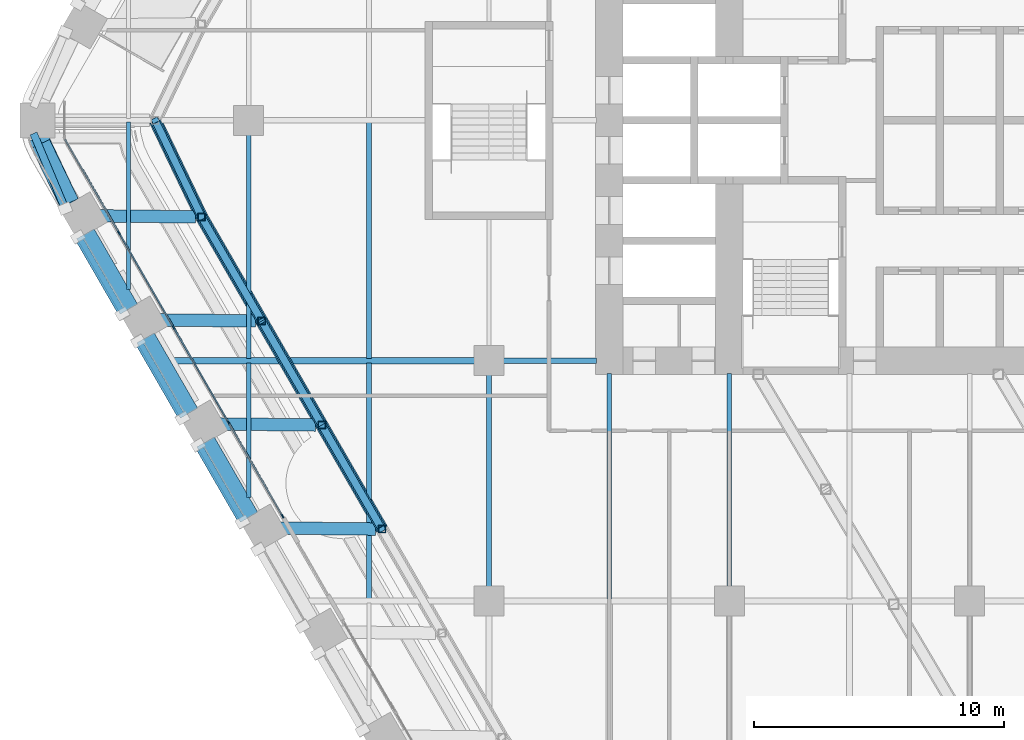
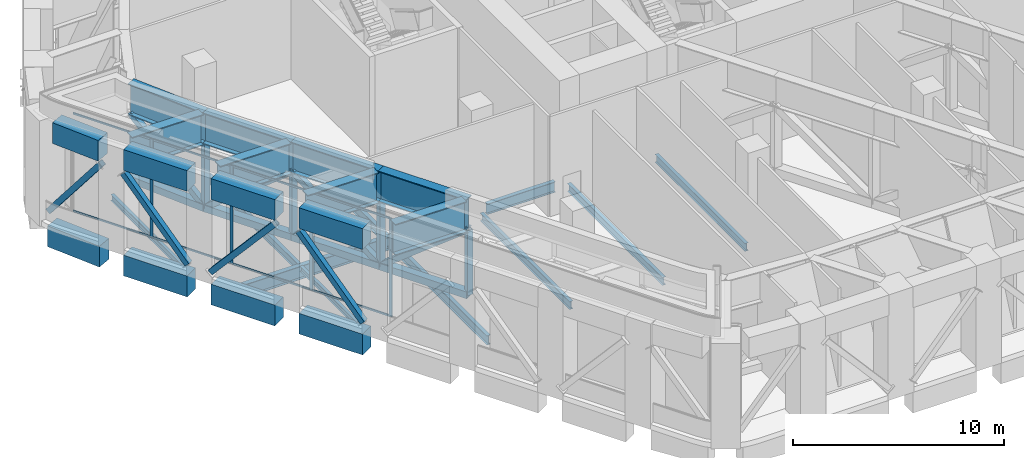
# One storey, part 3 of 35: 28 members, 26 beams, 1 element without a shape of its own.
"""IFC4 building model written with IfcOpenShell, lengths in metres."""

from ifc_helpers import new_model, si_unit, direction, frame, origin, origin_2d, place, context, subcontext, project, spatial, rectangle, hollow_rectangle, i_section, extrude, material, material_profile, profile_set, type_object, element, aggregate, save


model = new_model("IFC4")

# Units and contexts
model_context = context("Model", 3, precision=1e-05, world=origin(), true_north=direction((0.0, 1.0)))
body_context = subcontext(model_context, "Body", "Model", "MODEL_VIEW")
ifc_project = project(units=[si_unit("LENGTHUNIT", "METRE"), si_unit("AREAUNIT", "SQUARE_METRE"), si_unit("VOLUMEUNIT", "CUBIC_METRE"), si_unit("PLANEANGLEUNIT", "RADIAN"), si_unit("MASSUNIT", "GRAM", prefix="KILO")], contexts=[model_context])

# Site, building, storey
site_placement = place(None, origin())
site = spatial("IfcSite", under=ifc_project, at=site_placement, CompositionType="ELEMENT")
building_placement = place(site_placement, origin())
building = spatial("IfcBuilding", under=site, at=building_placement, Name="Kolab Exchange Tower", CompositionType="ELEMENT")
storey_placement = place(building_placement, frame((0.0, 0.0, 71.89990234375)))
storey = spatial("IfcBuildingStorey", under=building, at=storey_placement, Name="L13", CompositionType="ELEMENT", Elevation=71.89990234375)

# Members
ifc_material_1 = material(Name="Steel S355", Category="steel")
ifc_material_profile_1 = material_profile(ifc_material_1, hollow_rectangle(XDim=0.300048828125, YDim=0.300048828125, WallThickness=0.01611328125, at=origin_2d()), Name="HSS300X300X16")
ifc_profile_set_1 = profile_set([ifc_material_profile_1], Name="Steel S355")
member_type_1 = type_object("IfcMemberType", Name="BELT TRUSS BRACE HSS300X300X16", PredefinedType="BRACE", material=ifc_profile_set_1)
member_1_placement = place(storey_placement, frame((-23.48046875, -16.32763671875, 4.0), z_axis=(-0.394006750666, 0.682437328265, -0.61566059921), x_axis=(-0.866024647952, -0.500001309137, 0.0)))
element("IfcMember", 1, at=member_1_placement, inside=storey, type_object=member_type_1, Name="mem/L13/ring/d-F5-04", PredefinedType="BRACE", context=body_context, shape_type="SweptSolid", body=[
    extrude(hollow_rectangle(XDim=0.300048828125, YDim=0.300048828125, WallThickness=0.01611328125, at=origin_2d()), origin(), (0.0, 0.0, 1.0), 6.091064453125),
])
member_2_placement = place(storey_placement, frame((-25.88037109375, -12.1708984375, 0.25), z_axis=(-0.394029831617, 0.682447964901, 0.615634036582), x_axis=(-0.866015339567, -0.500017431331, 0.0)))
element("IfcMember", 2, at=member_2_placement, inside=storey, type_object=member_type_1, Name="mem/L13/ring/d-F5-05", PredefinedType="BRACE", context=body_context, shape_type="SweptSolid", body=[
    extrude(hollow_rectangle(XDim=0.300048828125, YDim=0.300048828125, WallThickness=0.01611328125, at=origin_2d()), origin(), (0.0, 0.0, 1.0), 6.09130859375),
])
member_3_placement = place(storey_placement, frame((-28.280517578125, -8.013916015625, 4.0), z_axis=(-0.393995973328, 0.682458742407, -0.615643758934), x_axis=(-0.866037363387, -0.499979284789, 0.0)))
element("IfcMember", 3, at=member_3_placement, inside=storey, type_object=member_type_1, Name="mem/L13/ring/d-F5-06", PredefinedType="BRACE", context=body_context, shape_type="SweptSolid", body=[
    extrude(hollow_rectangle(XDim=0.300048828125, YDim=0.300048828125, WallThickness=0.01611328125, at=origin_2d()), origin(), (0.0, 0.0, 1.0), 6.091064453125),
])
member_4_placement = place(storey_placement, frame((-30.680419921875, -3.85693359375, 0.25), z_axis=(-0.326067240374, 0.677790824134, 0.658999054229), x_axis=(-0.901145304527, -0.433517173972, 0.0)))
element("IfcMember", 4, at=member_4_placement, inside=storey, type_object=member_type_1, Name="mem/L13/ring/d-F5-07", PredefinedType="BRACE", context=body_context, shape_type="SweptSolid", body=[
    extrude(hollow_rectangle(XDim=0.300048828125, YDim=0.300048828125, WallThickness=0.01611328125, at=origin_2d()), origin(), (0.0, 0.0, 1.0), 5.6904296875),
])
member_5_placement = place(storey_placement, frame((-29.05126953125, -16.041015625, 0.400146484375), z_axis=(-0.328630956923, 0.569266591264, 0.753616110644), x_axis=(-0.866048632561, -0.49995976442, 0.0)))
element("IfcMember", 5, at=member_5_placement, inside=storey, type_object=member_type_1, Name="mem/L13/fb/F5-05", PredefinedType="BRACE", context=body_context, shape_type="SweptSolid", body=[
    extrude(hollow_rectangle(XDim=0.300048828125, YDim=0.300048828125, WallThickness=0.01611328125, at=origin_2d()), origin(), (0.0, 0.0, 1.0), 5.374267578125),
])
for number, where, z_axis, x_axis, name in (
    (6, (-31.451416015625, -11.884033203125, 4.4501953125), (-0.328639455646, 0.569235883224, -0.753635599904), (-0.866031355668, -0.499989690894, 0.0), "mem/L13/fb/F5-06"),
    (7, (-33.851318359375, -7.72705078125, 0.400146484375), (-0.328639455646, 0.569235883224, 0.753635599904), (-0.866031355668, -0.499989690894, 0.0), "mem/L13/fb/F5-07"),
):
    element("IfcMember", number, at=place(storey_placement, frame(where, z_axis=z_axis, x_axis=x_axis)), inside=storey, type_object=member_type_1, Name=name, PredefinedType="BRACE", context=body_context, shape_type="SweptSolid", body=[
        extrude(hollow_rectangle(XDim=0.300048828125, YDim=0.300048828125, WallThickness=0.01611328125, at=origin_2d()), origin(), (0.0, 0.0, 1.0), 5.3740234375),
    ])
member_6_placement = place(storey_placement, frame((-36.13916015625, -3.5107421875, 4.4501953125), z_axis=(-0.236569610991, 0.563022308645, -0.791859014676), x_axis=(-0.92192349331, -0.387372007872, 0.0)))
element("IfcMember", 8, at=member_6_placement, inside=storey, type_object=member_type_1, Name="mem/L13/fb/F5-08", PredefinedType="BRACE", context=body_context, shape_type="SweptSolid", body=[
    extrude(hollow_rectangle(XDim=0.300048828125, YDim=0.300048828125, WallThickness=0.01611328125, at=origin_2d()), origin(), (0.0, 0.0, 1.0), 5.114501953125),
])
ifc_material_profile_2 = material_profile(ifc_material_1, hollow_rectangle(XDim=0.39990234375, YDim=0.39990234375, WallThickness=0.02001953125, at=origin_2d()), Name="HSS400X400X20")
ifc_profile_set_2 = profile_set([ifc_material_profile_2], Name="Steel S355")
member_type_2 = type_object("IfcMemberType", Name="BELT TRUSS CHORD HSS400X400X20", PredefinedType="CHORD", material=ifc_profile_set_2)
member_7_placement = place(storey_placement, frame((-23.48046875, -16.32763671875, 0.25), z_axis=(-0.500001309137, 0.866024647952, 0.0), x_axis=(-0.866024647952, -0.500001309137, 0.0)))
element("IfcMember", 9, at=member_7_placement, inside=storey, type_object=member_type_2, Name="mem/L13/ring/c-F5-04", PredefinedType="CHORD", context=body_context, shape_type="SweptSolid", body=[
    extrude(hollow_rectangle(XDim=0.39990234375, YDim=0.39990234375, WallThickness=0.02001953125, at=origin_2d()), origin(), (0.0, 0.0, 1.0), 4.7998046875),
])
for number, where, z_axis, x_axis, name in (
    (10, (-25.88037109375, -12.1708984375, 0.25), (-0.500017431331, 0.866015339567, 0.0), (-0.866015339567, -0.500017431331, 0.0), "mem/L13/ring/c-F5-05"),
    (11, (-28.280517578125, -8.013916015625, 0.25), (-0.499979284789, 0.866037363387, 0.0), (-0.866037363387, -0.499979284789, 0.0), "mem/L13/ring/c-F5-06"),
):
    element("IfcMember", number, at=place(storey_placement, frame(where, z_axis=z_axis, x_axis=x_axis)), inside=storey, type_object=member_type_2, Name=name, PredefinedType="CHORD", context=body_context, shape_type="SweptSolid", body=[
        extrude(hollow_rectangle(XDim=0.39990234375, YDim=0.39990234375, WallThickness=0.02001953125, at=origin_2d()), origin(), (0.0, 0.0, 1.0), 4.800048828125),
    ])
member_8_placement = place(storey_placement, frame((-30.680419921875, -3.85693359375, 0.25), z_axis=(-0.433517173972, 0.901145304527, 0.0), x_axis=(-0.901145304527, -0.433517173972, 0.0)))
element("IfcMember", 12, at=member_8_placement, inside=storey, type_object=member_type_2, Name="mem/L13/ring/c-F5-07", PredefinedType="CHORD", context=body_context, shape_type="SweptSolid", body=[
    extrude(hollow_rectangle(XDim=0.39990234375, YDim=0.39990234375, WallThickness=0.02001953125, at=origin_2d()), origin(), (0.0, 0.0, 1.0), 4.280029296875),
])

# Beams
ifc_material_profile_3 = material_profile(ifc_material_1, i_section(OverallWidth=0.5, OverallDepth=1.800048828125, WebThickness=0.031982421875, FlangeThickness=0.050048828125, at=origin_2d()), Name="PG1800X500")
ifc_profile_set_3 = profile_set([ifc_material_profile_3], Name="Steel S355")
beam_type_1 = type_object("IfcBeamType", Name="BELT TRUSS GIRDER PG1800X500", PredefinedType="BEAM", material=ifc_profile_set_3)
beam_1_placement = place(storey_placement, frame((-23.48046875, -16.32763671875, 4.900146484375), z_axis=(-0.500001309137, 0.866024647952, 0.0), x_axis=(-0.866024647952, -0.500001309137, 0.0)))
element("IfcBeam", 13, at=beam_1_placement, inside=storey, type_object=beam_type_1, Name="beam/L13/bg/F5-run2", PredefinedType="BEAM", context=body_context, shape_type="SweptSolid", body=[
    extrude(i_section(OverallWidth=0.5, OverallDepth=1.800048828125, WebThickness=0.031982421875, FlangeThickness=0.050048828125, at=origin_2d()), origin(), (0.0, 0.0, 1.0), 4.7998046875),
])
for number, where, z_axis, x_axis, name in (
    (14, (-25.88037109375, -12.1708984375, 4.900146484375), (-0.500017431331, 0.866015339567, 0.0), (-0.866015339567, -0.500017431331, 0.0), "beam/L13/bg/F5-run3"),
    (15, (-28.280517578125, -8.013916015625, 4.900146484375), (-0.499979284789, 0.866037363387, 0.0), (-0.866037363387, -0.499979284789, 0.0), "beam/L13/bg/F5-run4"),
):
    element("IfcBeam", number, at=place(storey_placement, frame(where, z_axis=z_axis, x_axis=x_axis)), inside=storey, type_object=beam_type_1, Name=name, PredefinedType="BEAM", context=body_context, shape_type="SweptSolid", body=[
        extrude(i_section(OverallWidth=0.5, OverallDepth=1.800048828125, WebThickness=0.031982421875, FlangeThickness=0.050048828125, at=origin_2d()), origin(), (0.0, 0.0, 1.0), 4.800048828125),
    ])
beam_2_placement = place(storey_placement, frame((-30.680419921875, -3.85693359375, 4.900146484375), z_axis=(-0.433517173972, 0.901145304527, 0.0), x_axis=(-0.901145304527, -0.433517173972, 0.0)))
element("IfcBeam", 16, at=beam_2_placement, inside=storey, type_object=beam_type_1, Name="beam/L13/bg/F5-out", PredefinedType="BEAM", context=body_context, shape_type="SweptSolid", body=[
    extrude(i_section(OverallWidth=0.5, OverallDepth=1.800048828125, WebThickness=0.031982421875, FlangeThickness=0.050048828125, at=origin_2d()), origin(), (0.0, 0.0, 1.0), 4.280029296875),
])

# Members
ifc_material_profile_4 = material_profile(ifc_material_1, hollow_rectangle(XDim=0.300048828125, YDim=0.300048828125, WallThickness=0.01611328125, at=origin_2d()), Name="HSS300X300X16")
ifc_profile_set_4 = profile_set([ifc_material_profile_4], Name="Steel S355")
member_type_3 = type_object("IfcMemberType", Name="BELT TRUSS POST HSS300X300X16", PredefinedType="POST", material=ifc_profile_set_4)
for number, where, z_axis, x_axis, name in (
    (17, (-23.48046875, -16.32763671875, 0.25), (0.0, 0.0, 1.0), (1.0, 0.0, 0.0), "mem/L13/ring/p-F5-04"),
    (18, (-25.88037109375, -12.1708984375, 0.25), (0.0, 0.0, 1.0), (1.0, 0.0, 0.0), "mem/L13/ring/p-F5-05"),
    (19, (-28.280517578125, -8.013916015625, 0.25), (0.0, 0.0, 1.0), (1.0, 0.0, 0.0), "mem/L13/ring/p-F5-06"),
    (20, (-30.680419921875, -3.85693359375, 0.25), (0.0, 0.0, 1.0), (1.0, 0.0, 0.0), "mem/L13/ring/p-F5-07"),
):
    element("IfcMember", number, at=place(storey_placement, frame(where, z_axis=z_axis, x_axis=x_axis)), inside=storey, type_object=member_type_3, Name=name, PredefinedType="POST", context=body_context, shape_type="SweptSolid", body=[
        extrude(hollow_rectangle(XDim=0.300048828125, YDim=0.300048828125, WallThickness=0.01611328125, at=origin_2d()), origin(), (0.0, 0.0, 1.0), 3.75),
    ])

# Beams
ifc_material_profile_5 = material_profile(ifc_material_1, i_section(OverallWidth=0.1650390625, OverallDepth=0.31005859375, WebThickness=0.005859375, FlangeThickness=0.009765625, at=origin_2d()), Name="W310X39")
ifc_profile_set_5 = profile_set([ifc_material_profile_5], Name="Steel S355")
beam_type_2 = type_object("IfcBeamType", Name="FLOOR BEAM W310X39", PredefinedType="BEAM", material=ifc_profile_set_5)
beam_3_placement = place(storey_placement, frame((-28.800048828125, -15.067626953125, -0.454833984375), z_axis=(0.0, 1.0, 0.0), x_axis=(-1.0, 0.0, 0.0)))
element("IfcBeam", 21, at=beam_3_placement, inside=storey, type_object=beam_type_2, Name="beam/L13/fr/002", PredefinedType="BEAM", context=body_context, shape_type="SweptSolid", body=[
    extrude(i_section(OverallWidth=0.1650390625, OverallDepth=0.31005859375, WebThickness=0.005859375, FlangeThickness=0.009765625, at=origin_2d()), origin(), (0.0, 0.0, 1.0), 5.3740234375),
])
ifc_material_profile_6 = material_profile(ifc_material_1, i_section(OverallWidth=0.1708984375, OverallDepth=0.35498046875, WebThickness=0.007080078125, FlangeThickness=0.01171875, at=origin_2d()), Name="W360X51")
ifc_profile_set_6 = profile_set([ifc_material_profile_6], Name="Steel S355")
beam_type_3 = type_object("IfcBeamType", Name="FLOOR BEAM W360X51", PredefinedType="BEAM", material=ifc_profile_set_6)
beam_4_placement = place(storey_placement, frame((-33.60009765625, -6.75390625, -0.477294921875), z_axis=(0.0, 1.0, 0.0), x_axis=(-1.0, 0.0, 0.0)))
element("IfcBeam", 22, at=beam_4_placement, inside=storey, type_object=beam_type_3, Name="beam/L13/fr/000", PredefinedType="BEAM", context=body_context, shape_type="SweptSolid", body=[
    extrude(i_section(OverallWidth=0.1708984375, OverallDepth=0.35498046875, WebThickness=0.007080078125, FlangeThickness=0.01171875, at=origin_2d()), origin(), (0.0, 0.0, 1.0), 6.679931640625),
])
ifc_material_profile_7 = material_profile(ifc_material_1, i_section(OverallWidth=0.18994140625, OverallDepth=0.45703125, WebThickness=0.009033203125, FlangeThickness=0.014404296875, at=origin_2d()), Name="W460X74")
ifc_profile_set_7 = profile_set([ifc_material_profile_7], Name="Steel S355")
beam_type_4 = type_object("IfcBeamType", Name="FLOOR BEAM W460X74", PredefinedType="BEAM", material=ifc_profile_set_7)
beam_5_placement = place(storey_placement, frame((-28.800048828125, -9.506591796875, -0.5283203125), z_axis=(0.0, 1.0, 0.0), x_axis=(-1.0, 0.0, 0.0)))
element("IfcBeam", 23, at=beam_5_placement, inside=storey, type_object=beam_type_4, Name="beam/L13/fr/003", PredefinedType="BEAM", context=body_context, shape_type="SweptSolid", body=[
    extrude(i_section(OverallWidth=0.18994140625, OverallDepth=0.45703125, WebThickness=0.009033203125, FlangeThickness=0.014404296875, at=origin_2d()), origin(), (0.0, 0.0, 1.0), 8.946533203125),
])
beam_6_placement = place(storey_placement, frame((-19.199951171875, -18.639892578125, -0.5283203125), z_axis=(0.0, 1.0, 0.0), x_axis=(-1.0, 0.0, 0.0)))
element("IfcBeam", 24, at=beam_6_placement, inside=storey, type_object=beam_type_4, Name="beam/L13/fr/013", PredefinedType="BEAM", context=body_context, shape_type="SweptSolid", body=[
    extrude(i_section(OverallWidth=0.18994140625, OverallDepth=0.45703125, WebThickness=0.009033203125, FlangeThickness=0.014404296875, at=origin_2d()), origin(), (0.0, 0.0, 1.0), 8.47998046875),
])
beam_7_placement = place(storey_placement, frame((-14.39990234375, -19.113037109375, -0.5283203125), z_axis=(0.0, 1.0, 0.0), x_axis=(-1.0, 0.0, 0.0)))
element("IfcBeam", 25, at=beam_7_placement, inside=storey, type_object=beam_type_4, Name="beam/L13/fr/019", PredefinedType="BEAM", context=body_context, shape_type="SweptSolid", body=[
    extrude(i_section(OverallWidth=0.18994140625, OverallDepth=0.45703125, WebThickness=0.009033203125, FlangeThickness=0.014404296875, at=origin_2d()), origin(), (0.0, 0.0, 1.0), 9.0029296875),
])
beam_8_placement = place(storey_placement, frame((-9.60009765625, -18.639892578125, -0.5283203125), z_axis=(0.0, 1.0, 0.0), x_axis=(-1.0, 0.0, 0.0)))
element("IfcBeam", 26, at=beam_8_placement, inside=storey, type_object=beam_type_4, Name="beam/L13/fr/023", PredefinedType="BEAM", context=body_context, shape_type="SweptSolid", body=[
    extrude(i_section(OverallWidth=0.18994140625, OverallDepth=0.45703125, WebThickness=0.009033203125, FlangeThickness=0.014404296875, at=origin_2d()), origin(), (0.0, 0.0, 1.0), 8.52978515625),
])
ifc_material_profile_8 = material_profile(ifc_material_1, i_section(OverallWidth=0.208984375, OverallDepth=0.532958984375, WebThickness=0.01025390625, FlangeThickness=0.015625, at=origin_2d()), Name="W530X92")
ifc_profile_set_8 = profile_set([ifc_material_profile_8], Name="Steel S355")
beam_type_5 = type_object("IfcBeamType", Name="FLOOR BEAM W530X92", PredefinedType="BEAM", material=ifc_profile_set_8)
beam_9_placement = place(storey_placement, frame((-24.0, -19.1259765625, -0.56640625), z_axis=(0.0, 1.0, 0.0), x_axis=(-1.0, 0.0, 0.0)))
element("IfcBeam", 27, at=beam_9_placement, inside=storey, type_object=beam_type_5, Name="beam/L13/fr/007", PredefinedType="BEAM", context=body_context, shape_type="SweptSolid", body=[
    extrude(i_section(OverallWidth=0.208984375, OverallDepth=0.532958984375, WebThickness=0.01025390625, FlangeThickness=0.015625, at=origin_2d()), origin(), (0.0, 0.0, 1.0), 9.432373046875),
])
beam_10_placement = place(storey_placement, frame((-24.0, -9.506591796875, -0.56640625), z_axis=(0.0, 1.0, 0.0), x_axis=(-1.0, 0.0, 0.0)))
element("IfcBeam", 28, at=beam_10_placement, inside=storey, type_object=beam_type_5, Name="beam/L13/fr/008", PredefinedType="BEAM", context=body_context, shape_type="SweptSolid", body=[
    extrude(i_section(OverallWidth=0.208984375, OverallDepth=0.532958984375, WebThickness=0.01025390625, FlangeThickness=0.015625, at=origin_2d()), origin(), (0.0, 0.0, 1.0), 9.4326171875),
])
ifc_material_profile_9 = material_profile(ifc_material_1, i_section(OverallWidth=0.22802734375, OverallDepth=0.60791015625, WebThickness=0.01123046875, FlangeThickness=0.017333984375, at=origin_2d()), Name="W610X113")
ifc_profile_set_9 = profile_set([ifc_material_profile_9], Name="Steel S355")
beam_type_6 = type_object("IfcBeamType", Name="FLOOR GIRDER W610X113", PredefinedType="BEAM", material=ifc_profile_set_9)
beam_11_placement = place(storey_placement, frame((-18.639892578125, -9.60009765625, -0.60400390625), z_axis=(1.0, 0.0, 0.0), x_axis=(0.0, 1.0, 0.0)))
element("IfcBeam", 29, at=beam_11_placement, inside=storey, type_object=beam_type_6, Name="beam/L13/gd/007", PredefinedType="BEAM", context=body_context, shape_type="SweptSolid", body=[
    extrude(i_section(OverallWidth=0.22802734375, OverallDepth=0.60791015625, WebThickness=0.01123046875, FlangeThickness=0.017333984375, at=origin_2d()), origin(), (0.0, 0.0, 1.0), 3.72998046875),
])
ifc_material_profile_10 = material_profile(ifc_material_1, i_section(OverallWidth=0.26708984375, OverallDepth=0.761962890625, WebThickness=0.014404296875, FlangeThickness=0.021484375, at=origin_2d()), Name="W760X173")
ifc_profile_set_10 = profile_set([ifc_material_profile_10], Name="Steel S355")
beam_type_7 = type_object("IfcBeamType", Name="FLOOR GIRDER W760X173", PredefinedType="BEAM", material=ifc_profile_set_10)
beam_12_placement = place(storey_placement, frame((-31.9736328125, -9.60009765625, -0.680908203125), z_axis=(1.0, 0.0, 0.0), x_axis=(0.0, 1.0, 0.0)))
element("IfcBeam", 30, at=beam_12_placement, inside=storey, type_object=beam_type_7, Name="beam/L13/gd/001", PredefinedType="BEAM", context=body_context, shape_type="SweptSolid", body=[
    extrude(i_section(OverallWidth=0.26708984375, OverallDepth=0.761962890625, WebThickness=0.014404296875, FlangeThickness=0.021484375, at=origin_2d()), origin(), (0.0, 0.0, 1.0), 12.213623046875),
])
ifc_material_2 = material(Name="Concrete C80/95", Category="concrete")
ifc_material_profile_11 = material_profile(ifc_material_2, rectangle(XDim=0.800048828125, YDim=1.199951171875, at=origin_2d()), Name="RC800X1200")
ifc_profile_set_11 = profile_set([ifc_material_profile_11], Name="Concrete C80/95")
beam_type_8 = type_object("IfcBeamType", Name="SPANDREL BEAM 800X1200 C80/95", PredefinedType="BEAM", material=ifc_profile_set_11)
for number, where, z_axis, x_axis, name in (
    (31, (-28.78369140625, -15.856201171875, -0.89990234375), (-0.499979528911, 0.866037222451, 0.0), (-0.866037222451, -0.499979528911, 0.0), "beam/L13/sp/F5-05"),
    (32, (-31.18359375, -11.69921875, -0.89990234375), (-0.499979528911, 0.866037222451, 0.0), (-0.866037222451, -0.499979528911, 0.0), "beam/L13/sp/F5-06"),
):
    element("IfcBeam", number, at=place(storey_placement, frame(where, z_axis=z_axis, x_axis=x_axis)), inside=storey, type_object=beam_type_8, Name=name, PredefinedType="BEAM", context=body_context, shape_type="SweptSolid", body=[
        extrude(rectangle(XDim=0.800048828125, YDim=1.199951171875, at=origin_2d()), origin(), (0.0, 0.0, 1.0), 3.480224609375),
    ])
beam_13_placement = place(storey_placement, frame((-33.58349609375, -7.542236328125, -0.89990234375), z_axis=(-0.500009906705, 0.86601968407, 0.0), x_axis=(-0.86601968407, -0.500009906705, 0.0)))
element("IfcBeam", 33, at=beam_13_placement, inside=storey, type_object=beam_type_8, Name="beam/L13/sp/F5-07", PredefinedType="BEAM", context=body_context, shape_type="SweptSolid", body=[
    extrude(rectangle(XDim=0.800048828125, YDim=1.199951171875, at=origin_2d()), origin(), (0.0, 0.0, 1.0), 3.47998046875),
])
beam_14_placement = place(storey_placement, frame((-35.93798828125, -3.35888671875, -0.89990234375), z_axis=(-0.429555669245, 0.903040379507, 0.0), x_axis=(-0.903040379507, -0.429555669245, 0.0)))
element("IfcBeam", 34, at=beam_14_placement, inside=storey, type_object=beam_type_8, Name="beam/L13/sp/F5-08", PredefinedType="BEAM", context=body_context, shape_type="SweptSolid", body=[
    extrude(rectangle(XDim=0.800048828125, YDim=1.199951171875, at=origin_2d()), origin(), (0.0, 0.0, 1.0), 2.984375),
])
for number, where, z_axis, x_axis, name in (
    (35, (-28.78369140625, -15.856201171875, 5.2001953125), (-0.499979528911, 0.866037222451, 0.0), (-0.866037222451, -0.499979528911, 0.0), "beam/L13/cp/F5-05"),
    (36, (-31.18359375, -11.69921875, 5.2001953125), (-0.499979528911, 0.866037222451, 0.0), (-0.866037222451, -0.499979528911, 0.0), "beam/L13/cp/F5-06"),
):
    element("IfcBeam", number, at=place(storey_placement, frame(where, z_axis=z_axis, x_axis=x_axis)), inside=storey, type_object=beam_type_8, Name=name, PredefinedType="BEAM", context=body_context, shape_type="SweptSolid", body=[
        extrude(rectangle(XDim=0.800048828125, YDim=1.199951171875, at=origin_2d()), origin(), (0.0, 0.0, 1.0), 3.480224609375),
    ])
beam_15_placement = place(storey_placement, frame((-33.58349609375, -7.542236328125, 5.2001953125), z_axis=(-0.500009906705, 0.86601968407, 0.0), x_axis=(-0.86601968407, -0.500009906705, 0.0)))
element("IfcBeam", 37, at=beam_15_placement, inside=storey, type_object=beam_type_8, Name="beam/L13/cp/F5-07", PredefinedType="BEAM", context=body_context, shape_type="SweptSolid", body=[
    extrude(rectangle(XDim=0.800048828125, YDim=1.199951171875, at=origin_2d()), origin(), (0.0, 0.0, 1.0), 3.47998046875),
])
beam_16_placement = place(storey_placement, frame((-35.97265625, -3.29931640625, 5.2001953125), z_axis=(-0.435607113353, 0.900136902252, 0.0), x_axis=(-0.900136902252, -0.435607113353, 0.0)))
element("IfcBeam", 38, at=beam_16_placement, inside=storey, type_object=beam_type_8, Name="beam/L13/cp/F5-08", PredefinedType="BEAM", context=body_context, shape_type="SweptSolid", body=[
    extrude(rectangle(XDim=0.800048828125, YDim=1.199951171875, at=origin_2d()), origin(), (0.0, 0.0, 1.0), 2.625244140625),
])
ifc_material_profile_12 = material_profile(ifc_material_1, i_section(OverallWidth=0.5, OverallDepth=1.800048828125, WebThickness=0.031982421875, FlangeThickness=0.050048828125, at=origin_2d()), Name="PG1800X500")
ifc_profile_set_12 = profile_set([ifc_material_profile_12], Name="Steel S355")
beam_type_9 = type_object("IfcBeamType", Name="TRANSFER GIRDER PG1800X500", PredefinedType="BEAM", material=ifc_profile_set_12)
beam_17_placement = place(storey_placement, frame((-23.73046875, -16.324951171875, 4.900146484375), z_axis=(-0.999943937573, 0.010588753956, 0.0), x_axis=(-0.010588753956, -0.999943937573, 0.0)))
element("IfcBeam", 39, at=beam_17_placement, inside=storey, type_object=beam_type_9, Name="beam/L13/tg/F5-04", PredefinedType="BEAM", context=body_context, shape_type="SweptSolid", body=[
    extrude(i_section(OverallWidth=0.5, OverallDepth=1.800048828125, WebThickness=0.031982421875, FlangeThickness=0.050048828125, at=origin_2d()), origin(), (0.0, 0.0, 1.0), 3.87353515625),
])
beam_18_placement = place(storey_placement, frame((-26.13037109375, -12.168212890625, 4.900146484375), z_axis=(-0.999943275385, 0.010651103841, 0.0), x_axis=(-0.010651103841, -0.999943275385, 0.0)))
element("IfcBeam", 40, at=beam_18_placement, inside=storey, type_object=beam_type_9, Name="beam/L13/tg/F5-05", PredefinedType="BEAM", context=body_context, shape_type="SweptSolid", body=[
    extrude(i_section(OverallWidth=0.5, OverallDepth=1.800048828125, WebThickness=0.031982421875, FlangeThickness=0.050048828125, at=origin_2d()), origin(), (0.0, 0.0, 1.0), 3.873779296875),
])
for number, where, z_axis, x_axis, name in (
    (41, (-28.530517578125, -8.01123046875, 4.900146484375), (-0.999943937573, 0.010588753956, 0.0), (-0.010588753956, -0.999943937573, 0.0), "beam/L13/tg/F5-06"),
    (42, (-30.930419921875, -3.854248046875, 4.900146484375), (-0.999943937573, 0.010588753956, 0.0), (-0.010588753956, -0.999943937573, 0.0), "beam/L13/tg/F5-07"),
):
    element("IfcBeam", number, at=place(storey_placement, frame(where, z_axis=z_axis, x_axis=x_axis)), inside=storey, type_object=beam_type_9, Name=name, PredefinedType="BEAM", context=body_context, shape_type="SweptSolid", body=[
        extrude(i_section(OverallWidth=0.5, OverallDepth=1.800048828125, WebThickness=0.031982421875, FlangeThickness=0.050048828125, at=origin_2d()), origin(), (0.0, 0.0, 1.0), 3.87353515625),
    ])

# Curtain wall, members
ifc_material_3 = material(Name="Aluminium EN AW-6063 T6", Category="aluminium")
curtain_wall_type = type_object("IfcCurtainWallType", Name="UNITISED LOW ZONE BELT CURTAIN WALL", PredefinedType="NOTDEFINED", material=ifc_material_3)
curtain_wall_placement = place(storey_placement, origin())
curtain_wall = element("IfcCurtainWall", 43, at=curtain_wall_placement, inside=storey, type_object=curtain_wall_type, Name="cw/L13/F5-2", PredefinedType="NOTDEFINED")
ifc_material_profile_13 = material_profile(ifc_material_3, rectangle(XDim=0.06005859375, YDim=0.159912109375, at=origin_2d()), Name="RECT 60X160")
ifc_profile_set_13 = profile_set([ifc_material_profile_13], Name="Aluminium EN AW-6063 T6")
member_type_4 = type_object("IfcMemberType", Name="UNITISED LOW ZONE BELT MULLION 60 X 160", PredefinedType="MULLION", material=ifc_profile_set_13)
member_9_placement = place(storey_placement, frame((-27.44677734375, -15.811767578125, 0.0), z_axis=(0.0, 0.0, 1.0), x_axis=(-0.866025422102, -0.499999968274, 0.0)))
member_9 = element("IfcMember", 44, at=member_9_placement, type_object=member_type_4, Name="CW9 mullion 1", PredefinedType="MULLION", context=body_context, shape_type="SweptSolid", body=[
    extrude(rectangle(XDim=0.06005859375, YDim=0.159912109375, at=origin_2d()), origin(), (0.0, 0.0, 1.0), 5.7001953125),
])
member_10_placement = place(storey_placement, frame((-29.615234375, -12.0556640625, 0.0), z_axis=(0.0, 0.0, 1.0), x_axis=(-0.866025422102, -0.499999968274, 0.0)))
member_10 = element("IfcMember", 45, at=member_10_placement, type_object=member_type_4, Name="CW9 mullion 2", PredefinedType="MULLION", context=body_context, shape_type="SweptSolid", body=[
    extrude(rectangle(XDim=0.06005859375, YDim=0.159912109375, at=origin_2d()), origin(), (0.0, 0.0, 1.0), 5.7001953125),
])
member_11_placement = place(storey_placement, frame((-31.798583984375, -8.27392578125, 0.0), z_axis=(0.0, 0.0, 1.0), x_axis=(-0.866025422102, -0.499999968274, 0.0)))
member_11 = element("IfcMember", 46, at=member_11_placement, type_object=member_type_4, Name="CW9 mullion 3", PredefinedType="MULLION", context=body_context, shape_type="SweptSolid", body=[
    extrude(rectangle(XDim=0.06005859375, YDim=0.159912109375, at=origin_2d()), origin(), (0.0, 0.0, 1.0), 5.7001953125),
])
member_12_placement = place(storey_placement, frame((-33.982177734375, -4.491943359375, 0.0), z_axis=(0.0, 0.0, 1.0), x_axis=(-0.866025422102, -0.499999968274, 0.0)))
member_12 = element("IfcMember", 47, at=member_12_placement, type_object=member_type_4, Name="CW9 mullion 4", PredefinedType="MULLION", context=body_context, shape_type="SweptSolid", body=[
    extrude(rectangle(XDim=0.06005859375, YDim=0.159912109375, at=origin_2d()), origin(), (0.0, 0.0, 1.0), 5.7001953125),
])
ifc_material_profile_14 = material_profile(ifc_material_3, rectangle(XDim=0.06005859375, YDim=0.10009765625, at=origin_2d()), Name="RECT 60X100")
ifc_profile_set_14 = profile_set([ifc_material_profile_14], Name="Aluminium EN AW-6063 T6")
member_type_5 = type_object("IfcMemberType", Name="UNITISED LOW ZONE BELT TRANSOM 60 X 100", PredefinedType="USERDEFINED", material=ifc_profile_set_14)
member_13_placement = place(storey_placement, frame((-27.461669921875, -15.78564453125, 0.030029296875), z_axis=(-0.500000816281, 0.866024932504, 0.0), x_axis=(-0.866024932504, -0.500000816281, 0.0)))
member_13 = element("IfcMember", 48, at=member_13_placement, type_object=member_type_5, Name="CW9 transom 1.1", ObjectType="TRANSOM", PredefinedType="USERDEFINED", context=body_context, shape_type="SweptSolid", body=[
    extrude(rectangle(XDim=0.06005859375, YDim=0.10009765625, at=origin_2d()), origin(), (0.0, 0.0, 1.0), 4.27685546875),
])
member_14_placement = place(storey_placement, frame((-27.461669921875, -15.78564453125, 5.670166015625), z_axis=(-0.500000816281, 0.866024932504, 0.0), x_axis=(-0.866024932504, -0.500000816281, 0.0)))
member_14 = element("IfcMember", 49, at=member_14_placement, type_object=member_type_5, Name="CW9 transom 1.2", ObjectType="TRANSOM", PredefinedType="USERDEFINED", context=body_context, shape_type="SweptSolid", body=[
    extrude(rectangle(XDim=0.06005859375, YDim=0.10009765625, at=origin_2d()), origin(), (0.0, 0.0, 1.0), 4.27685546875),
])
member_15_placement = place(storey_placement, frame((-29.630126953125, -12.02978515625, 0.030029296875), z_axis=(-0.500010313095, 0.866019449435, 0.0), x_axis=(-0.866019449435, -0.500010313095, 0.0)))
member_15 = element("IfcMember", 50, at=member_15_placement, type_object=member_type_5, Name="CW9 transom 2.1", ObjectType="TRANSOM", PredefinedType="USERDEFINED", context=body_context, shape_type="SweptSolid", body=[
    extrude(rectangle(XDim=0.06005859375, YDim=0.10009765625, at=origin_2d()), origin(), (0.0, 0.0, 1.0), 4.30712890625),
])
member_16_placement = place(storey_placement, frame((-29.630126953125, -12.02978515625, 5.670166015625), z_axis=(-0.500010313095, 0.866019449435, 0.0), x_axis=(-0.866019449435, -0.500010313095, 0.0)))
member_16 = element("IfcMember", 51, at=member_16_placement, type_object=member_type_5, Name="CW9 transom 2.2", ObjectType="TRANSOM", PredefinedType="USERDEFINED", context=body_context, shape_type="SweptSolid", body=[
    extrude(rectangle(XDim=0.06005859375, YDim=0.10009765625, at=origin_2d()), origin(), (0.0, 0.0, 1.0), 4.30712890625),
])
member_17_placement = place(storey_placement, frame((-31.813720703125, -8.247802734375, 0.030029296875), z_axis=(-0.499967798808, 0.866043994353, 0.0), x_axis=(-0.866043994353, -0.499967798808, 0.0)))
member_17 = element("IfcMember", 52, at=member_17_placement, type_object=member_type_5, Name="CW9 transom 3.1", ObjectType="TRANSOM", PredefinedType="USERDEFINED", context=body_context, shape_type="SweptSolid", body=[
    extrude(rectangle(XDim=0.06005859375, YDim=0.10009765625, at=origin_2d()), origin(), (0.0, 0.0, 1.0), 4.306884765625),
])
member_18_placement = place(storey_placement, frame((-31.813720703125, -8.247802734375, 5.670166015625), z_axis=(-0.499967798808, 0.866043994353, 0.0), x_axis=(-0.866043994353, -0.499967798808, 0.0)))
member_18 = element("IfcMember", 53, at=member_18_placement, type_object=member_type_5, Name="CW9 transom 3.2", ObjectType="TRANSOM", PredefinedType="USERDEFINED", context=body_context, shape_type="SweptSolid", body=[
    extrude(rectangle(XDim=0.06005859375, YDim=0.10009765625, at=origin_2d()), origin(), (0.0, 0.0, 1.0), 4.306884765625),
])
member_19_placement = place(storey_placement, frame((-33.9970703125, -4.4658203125, 0.030029296875), z_axis=(-0.500043627578, 0.866000213925, 0.0), x_axis=(-0.866000213925, -0.500043627578, 0.0)))
member_19 = element("IfcMember", 54, at=member_19_placement, type_object=member_type_5, Name="CW9 transom 4.1", ObjectType="TRANSOM", PredefinedType="USERDEFINED", context=body_context, shape_type="SweptSolid", body=[
    extrude(rectangle(XDim=0.06005859375, YDim=0.10009765625, at=origin_2d()), origin(), (0.0, 0.0, 1.0), 4.27685546875),
])
member_20_placement = place(storey_placement, frame((-33.9970703125, -4.4658203125, 5.670166015625), z_axis=(-0.500043627578, 0.866000213925, 0.0), x_axis=(-0.866000213925, -0.500043627578, 0.0)))
member_20 = element("IfcMember", 55, at=member_20_placement, type_object=member_type_5, Name="CW9 transom 4.2", ObjectType="TRANSOM", PredefinedType="USERDEFINED", context=body_context, shape_type="SweptSolid", body=[
    extrude(rectangle(XDim=0.06005859375, YDim=0.10009765625, at=origin_2d()), origin(), (0.0, 0.0, 1.0), 4.27685546875),
])
aggregate(curtain_wall, [member_9, member_10, member_11, member_12, member_13, member_14, member_15, member_16, member_17, member_18, member_19, member_20])

save(model, "model.ifc")
